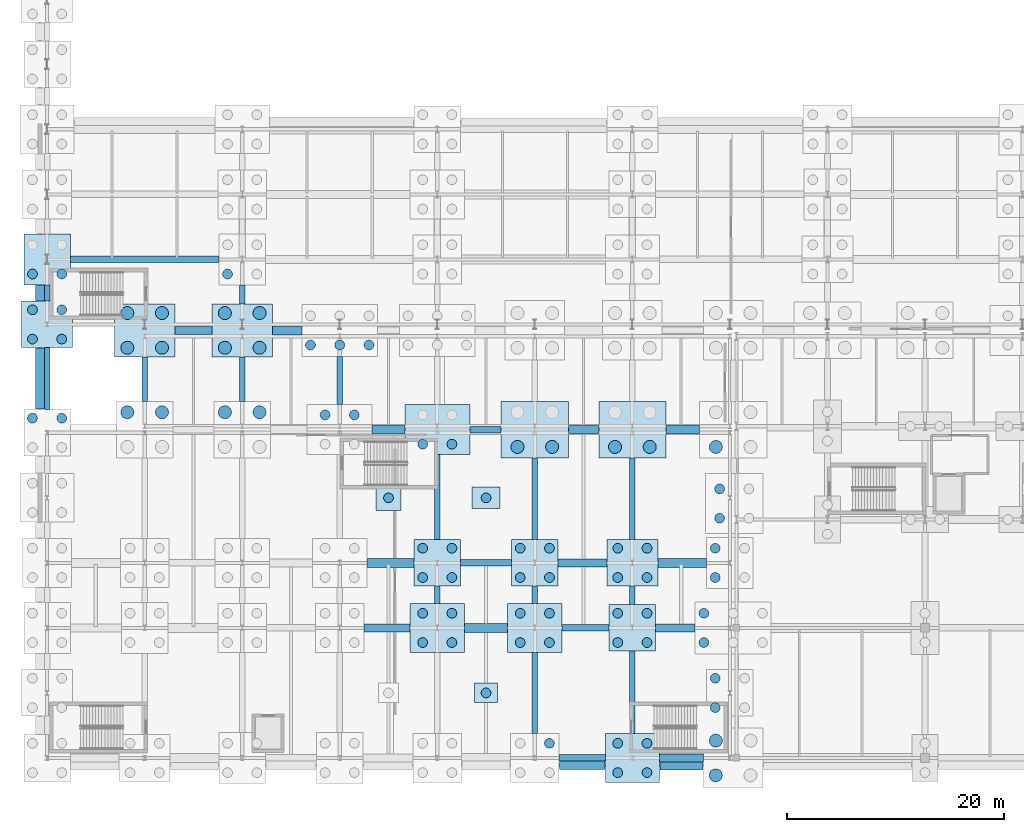
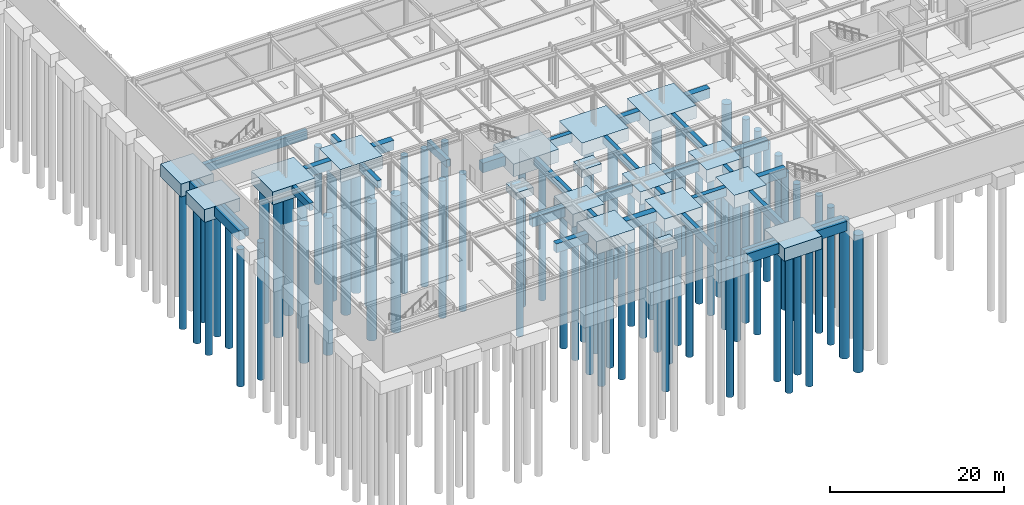
# One storey, part 2 of 65: 75 piles, 52 footings.
"""IFC4 building model written with IfcOpenShell, lengths in metres."""

from ifc_helpers import new_model, si_unit, direction, frame, origin, origin_2d, place, context, subcontext, project, spatial, rectangle, circle, extrude, material, material_profile, profile_set, type_object, element, save


model = new_model("IFC4")

# Units and contexts
model_context = context("Model", 3, precision=1e-05, world=origin(), true_north=direction((0.0, 1.0)))
body_context = subcontext(model_context, "Body", "Model", "MODEL_VIEW")
ifc_project = project(units=[si_unit("LENGTHUNIT", "METRE"), si_unit("AREAUNIT", "SQUARE_METRE"), si_unit("VOLUMEUNIT", "CUBIC_METRE"), si_unit("PLANEANGLEUNIT", "RADIAN"), si_unit("MASSUNIT", "GRAM", prefix="KILO")], contexts=[model_context])

# Site, building, storey
site_placement = place(None, origin())
site = spatial("IfcSite", under=ifc_project, at=site_placement, CompositionType="ELEMENT")
building_placement = place(site_placement, origin())
building = spatial("IfcBuilding", under=site, at=building_placement, Name="Kaldris Quays Convention Centre", CompositionType="ELEMENT")
storey_placement = place(building_placement, frame((0.0, 0.0, -5.39990234375)))
storey = spatial("IfcBuildingStorey", under=building, at=storey_placement, Name="B1", CompositionType="ELEMENT", Elevation=-5.39990234375)

# Piles
ifc_material = material(Name="Concrete C35/45", Category="concrete")
ifc_material_profile_1 = material_profile(ifc_material, circle(Radius=0.449951171875, at=origin_2d()), Name="BORED PILE D900")
ifc_profile_set_1 = profile_set([ifc_material_profile_1], Name="Concrete C35/45")
pile_type_1 = type_object("IfcPileType", Name="BORED PILE P01", PredefinedType="BORED", material=ifc_profile_set_1)
for number, where, z_axis, x_axis, name in (
    (1, (18.64990234375, 47.35009765625, -1.7001953125), (0.0, 0.0, -1.0), (1.0, 0.0, 0.0), "Bored Pile P01 23"),
    (2, (21.35009765625, 47.35009765625, -1.7001953125), (0.0, 0.0, -1.0), (1.0, 0.0, 0.0), "Bored Pile P01 24"),
    (3, (18.64990234375, 54.64990234375, -1.7001953125), (0.0, 0.0, -1.0), (1.0, 0.0, 0.0), "Bored Pile P01 25"),
    (4, (21.35009765625, 54.64990234375, -1.7001953125), (0.0, 0.0, -1.0), (1.0, 0.0, 0.0), "Bored Pile P01 26"),
    (5, (18.64990234375, 57.35009765625, -1.7001953125), (0.0, 0.0, -1.0), (1.0, 0.0, 0.0), "Bored Pile P01 27"),
    (6, (21.35009765625, 57.35009765625, -1.7001953125), (0.0, 0.0, -1.0), (1.0, 0.0, 0.0), "Bored Pile P01 28"),
    (7, (18.64990234375, 60.64990234375, -1.7001953125), (0.0, 0.0, -1.0), (1.0, 0.0, 0.0), "Bored Pile P01 29"),
    (8, (21.35009765625, 60.64990234375, -1.7001953125), (0.0, 0.0, -1.0), (1.0, 0.0, 0.0), "Bored Pile P01 30"),
    (9, (36.64990234375, 60.64990234375, -1.7001953125), (0.0, 0.0, -1.0), (1.0, 0.0, 0.0), "Bored Pile P01 129"),
    (10, (45.64990234375, 47.64990234375, -1.7001953125), (0.0, 0.0, -1.0), (1.0, 0.0, 0.0), "Bored Pile P01 163"),
    (11, (48.35009765625, 47.64990234375, -1.7001953125), (0.0, 0.0, -1.0), (1.0, 0.0, 0.0), "Bored Pile P01 164"),
    (12, (44.300048828125, 54.10009765625, -1.7001953125), (0.0, 0.0, -1.0), (1.0, 0.0, 0.0), "Bored Pile P01 165"),
    (13, (47.0, 54.10009765625, -1.7001953125), (0.0, 0.0, -1.0), (1.0, 0.0, 0.0), "Bored Pile P01 166"),
    (14, (49.699951171875, 54.10009765625, -1.7001953125), (0.0, 0.0, -1.0), (1.0, 0.0, 0.0), "Bored Pile P01 167"),
    (15, (54.64990234375, 26.64990234375, -1.7001953125), (0.0, 0.0, -1.0), (1.0, 0.0, 0.0), "Bored Pile P01 179"),
    (16, (57.35009765625, 26.64990234375, -1.7001953125), (0.0, 0.0, -1.0), (1.0, 0.0, 0.0), "Bored Pile P01 180"),
    (17, (54.64990234375, 29.35009765625, -1.7001953125), (0.0, 0.0, -1.0), (1.0, 0.0, 0.0), "Bored Pile P01 181"),
    (18, (57.35009765625, 29.35009765625, -1.7001953125), (0.0, 0.0, -1.0), (1.0, 0.0, 0.0), "Bored Pile P01 182"),
    (19, (54.64990234375, 32.64990234375, -1.7001953125), (0.0, 0.0, -1.0), (1.0, 0.0, 0.0), "Bored Pile P01 183"),
    (20, (57.35009765625, 32.64990234375, -1.7001953125), (0.0, 0.0, -1.0), (1.0, 0.0, 0.0), "Bored Pile P01 184"),
    (21, (54.64990234375, 35.35009765625, -1.7001953125), (0.0, 0.0, -1.0), (1.0, 0.0, 0.0), "Bored Pile P01 185"),
    (22, (57.35009765625, 35.35009765625, -1.7001953125), (0.0, 0.0, -1.0), (1.0, 0.0, 0.0), "Bored Pile P01 186"),
    (23, (54.64990234375, 44.949951171875, -1.7001953125), (0.0, 0.0, -1.0), (1.0, 0.0, 0.0), "Bored Pile P01 187"),
    (24, (57.35009765625, 44.949951171875, -1.7001953125), (0.0, 0.0, -1.0), (1.0, 0.0, 0.0), "Bored Pile P01 188"),
    (25, (66.35009765625, 17.35009765625, -1.7001953125), (0.0, 0.0, -1.0), (1.0, 0.0, 0.0), "Bored Pile P01 220"),
    (26, (63.64990234375, 26.64990234375, -1.7001953125), (0.0, 0.0, -1.0), (1.0, 0.0, 0.0), "Bored Pile P01 221"),
    (27, (66.35009765625, 26.64990234375, -1.7001953125), (0.0, 0.0, -1.0), (1.0, 0.0, 0.0), "Bored Pile P01 222"),
    (28, (63.64990234375, 29.35009765625, -1.7001953125), (0.0, 0.0, -1.0), (1.0, 0.0, 0.0), "Bored Pile P01 223"),
    (29, (66.35009765625, 29.35009765625, -1.7001953125), (0.0, 0.0, -1.0), (1.0, 0.0, 0.0), "Bored Pile P01 224"),
    (30, (63.64990234375, 32.64990234375, -1.7001953125), (0.0, 0.0, -1.0), (1.0, 0.0, 0.0), "Bored Pile P01 225"),
    (31, (66.35009765625, 32.64990234375, -1.7001953125), (0.0, 0.0, -1.0), (1.0, 0.0, 0.0), "Bored Pile P01 226"),
    (32, (63.64990234375, 35.35009765625, -1.7001953125), (0.0, 0.0, -1.0), (1.0, 0.0, 0.0), "Bored Pile P01 227"),
    (33, (66.35009765625, 35.35009765625, -1.7001953125), (0.0, 0.0, -1.0), (1.0, 0.0, 0.0), "Bored Pile P01 228"),
    (34, (72.64990234375, 14.64990234375, -1.7001953125), (0.0, 0.0, -1.0), (1.0, 0.0, 0.0), "Bored Pile P01 241"),
    (35, (75.35009765625, 14.64990234375, -1.7001953125), (0.0, 0.0, -1.0), (1.0, 0.0, 0.0), "Bored Pile P01 242"),
    (36, (72.64990234375, 17.35009765625, -1.7001953125), (0.0, 0.0, -1.0), (1.0, 0.0, 0.0), "Bored Pile P01 243"),
    (37, (75.35009765625, 17.35009765625, -1.7001953125), (0.0, 0.0, -1.0), (1.0, 0.0, 0.0), "Bored Pile P01 244"),
    (38, (72.64990234375, 26.64990234375, -1.7001953125), (0.0, 0.0, -1.0), (1.0, 0.0, 0.0), "Bored Pile P01 245"),
    (39, (75.35009765625, 26.64990234375, -1.7001953125), (0.0, 0.0, -1.0), (1.0, 0.0, 0.0), "Bored Pile P01 246"),
    (40, (72.64990234375, 29.35009765625, -1.7001953125), (0.0, 0.0, -1.0), (1.0, 0.0, 0.0), "Bored Pile P01 247"),
    (41, (75.35009765625, 29.35009765625, -1.7001953125), (0.0, 0.0, -1.0), (1.0, 0.0, 0.0), "Bored Pile P01 248"),
    (42, (72.64990234375, 32.64990234375, -1.7001953125), (0.0, 0.0, -1.0), (1.0, 0.0, 0.0), "Bored Pile P01 249"),
    (43, (75.35009765625, 32.64990234375, -1.7001953125), (0.0, 0.0, -1.0), (1.0, 0.0, 0.0), "Bored Pile P01 250"),
    (44, (72.64990234375, 35.35009765625, -1.7001953125), (0.0, 0.0, -1.0), (1.0, 0.0, 0.0), "Bored Pile P01 251"),
    (45, (75.35009765625, 35.35009765625, -1.7001953125), (0.0, 0.0, -1.0), (1.0, 0.0, 0.0), "Bored Pile P01 252"),
    (46, (81.64990234375, 20.64990234375, -1.7001953125), (0.0, 0.0, -1.0), (1.0, 0.0, 0.0), "Bored Pile P01 285"),
    (47, (81.64990234375, 23.35009765625, -1.7001953125), (0.0, 0.0, -1.0), (1.0, 0.0, 0.0), "Bored Pile P01 287"),
    (48, (80.60009765625, 26.64990234375, -1.7001953125), (0.0, 0.0, -1.0), (1.0, 0.0, 0.0), "Bored Pile P01 289"),
    (49, (80.60009765625, 29.35009765625, -1.7001953125), (0.0, 0.0, -1.0), (1.0, 0.0, 0.0), "Bored Pile P01 292"),
    (50, (81.64990234375, 32.64990234375, -1.7001953125), (0.0, 0.0, -1.0), (1.0, 0.0, 0.0), "Bored Pile P01 295"),
    (51, (81.64990234375, 35.35009765625, -1.7001953125), (0.0, 0.0, -1.0), (1.0, 0.0, 0.0), "Bored Pile P01 297"),
    (52, (82.050048828125, 38.125, -1.7001953125), (0.0, 0.0, -1.0), (1.0, 0.0, 0.0), "Bored Pile P01 299"),
    (53, (82.050048828125, 40.824951171875, -1.7001953125), (0.0, 0.0, -1.0), (1.0, 0.0, 0.0), "Bored Pile P01 301"),
):
    element("IfcPile", number, at=place(storey_placement, frame(where, z_axis=z_axis, x_axis=x_axis)), inside=storey, type_object=pile_type_1, Name=name, PredefinedType="BORED", context=body_context, shape_type="SweptSolid", body=[
        extrude(circle(Radius=0.449951171875, at=origin_2d()), origin(), (0.0, 0.0, 1.0), 19.300048828125),
    ])
pile_1_placement = place(storey_placement, frame((60.5, 22.0, -0.85009765625), z_axis=(0.0, 0.0, -1.0), x_axis=(1.0, 0.0, 0.0)))
element("IfcPile", 54, at=pile_1_placement, inside=storey, type_object=pile_type_1, Name="Bored Pile P01 786", PredefinedType="BORED", context=body_context, shape_type="SweptSolid", body=[
    extrude(circle(Radius=0.449951171875, at=origin_2d()), origin(), (0.0, 0.0, 1.0), 20.14990234375),
])
pile_2_placement = place(storey_placement, frame((51.5, 40.0, -0.9501953125), z_axis=(0.0, 0.0, -1.0), x_axis=(1.0, 0.0, 0.0)))
element("IfcPile", 55, at=pile_2_placement, inside=storey, type_object=pile_type_1, Name="Bored Pile P01 787", PredefinedType="BORED", context=body_context, shape_type="SweptSolid", body=[
    extrude(circle(Radius=0.449951171875, at=origin_2d()), origin(), (0.0, 0.0, 1.0), 20.050048828125),
])
pile_3_placement = place(storey_placement, frame((60.5, 40.0, -1.0), z_axis=(0.0, 0.0, -1.0), x_axis=(1.0, 0.0, 0.0)))
element("IfcPile", 56, at=pile_3_placement, inside=storey, type_object=pile_type_1, Name="Bored Pile P01 788", PredefinedType="BORED", context=body_context, shape_type="SweptSolid", body=[
    extrude(circle(Radius=0.449951171875, at=origin_2d()), origin(), (0.0, 0.0, 1.0), 20.0),
])
ifc_material_profile_2 = material_profile(ifc_material, circle(Radius=0.60009765625, at=origin_2d()), Name="BORED PILE D1200")
ifc_profile_set_2 = profile_set([ifc_material_profile_2], Name="Concrete C35/45")
pile_type_2 = type_object("IfcPileType", Name="BORED PILE P02", PredefinedType="BORED", material=ifc_profile_set_2)
for number, where, z_axis, x_axis, name in (
    (57, (27.39990234375, 47.89990234375, -1.7001953125), (0.0, 0.0, -1.0), (1.0, 0.0, 0.0), "Bored Pile P02 99"),
    (58, (30.60009765625, 47.89990234375, -1.7001953125), (0.0, 0.0, -1.0), (1.0, 0.0, 0.0), "Bored Pile P02 100"),
    (59, (27.39990234375, 53.85009765625, -1.7001953125), (0.0, 0.0, -1.0), (1.0, 0.0, 0.0), "Bored Pile P02 101"),
    (60, (30.60009765625, 53.85009765625, -1.7001953125), (0.0, 0.0, -1.0), (1.0, 0.0, 0.0), "Bored Pile P02 102"),
    (61, (27.39990234375, 57.050048828125, -1.7001953125), (0.0, 0.0, -1.0), (1.0, 0.0, 0.0), "Bored Pile P02 103"),
    (62, (30.60009765625, 57.050048828125, -1.7001953125), (0.0, 0.0, -1.0), (1.0, 0.0, 0.0), "Bored Pile P02 104"),
    (63, (36.39990234375, 47.89990234375, -1.7001953125), (0.0, 0.0, -1.0), (1.0, 0.0, 0.0), "Bored Pile P02 123"),
    (64, (39.60009765625, 47.89990234375, -1.7001953125), (0.0, 0.0, -1.0), (1.0, 0.0, 0.0), "Bored Pile P02 124"),
    (65, (36.39990234375, 53.85009765625, -1.7001953125), (0.0, 0.0, -1.0), (1.0, 0.0, 0.0), "Bored Pile P02 125"),
    (66, (39.60009765625, 53.85009765625, -1.7001953125), (0.0, 0.0, -1.0), (1.0, 0.0, 0.0), "Bored Pile P02 126"),
    (67, (36.39990234375, 57.050048828125, -1.7001953125), (0.0, 0.0, -1.0), (1.0, 0.0, 0.0), "Bored Pile P02 127"),
    (68, (39.60009765625, 57.050048828125, -1.7001953125), (0.0, 0.0, -1.0), (1.0, 0.0, 0.0), "Bored Pile P02 128"),
    (69, (63.39990234375, 44.699951171875, -1.7001953125), (0.0, 0.0, -1.0), (1.0, 0.0, 0.0), "Bored Pile P02 229"),
    (70, (66.60009765625, 44.699951171875, -1.7001953125), (0.0, 0.0, -1.0), (1.0, 0.0, 0.0), "Bored Pile P02 230"),
    (71, (72.39990234375, 44.699951171875, -1.7001953125), (0.0, 0.0, -1.0), (1.0, 0.0, 0.0), "Bored Pile P02 253"),
    (72, (75.60009765625, 44.699951171875, -1.7001953125), (0.0, 0.0, -1.0), (1.0, 0.0, 0.0), "Bored Pile P02 254"),
    (73, (81.699951171875, 14.39990234375, -1.7001953125), (0.0, 0.0, -1.0), (1.0, 0.0, 0.0), "Bored Pile P02 281"),
    (74, (81.699951171875, 17.60009765625, -1.7001953125), (0.0, 0.0, -1.0), (1.0, 0.0, 0.0), "Bored Pile P02 283"),
    (75, (81.699951171875, 44.699951171875, -1.7001953125), (0.0, 0.0, -1.0), (1.0, 0.0, 0.0), "Bored Pile P02 303"),
):
    element("IfcPile", number, at=place(storey_placement, frame(where, z_axis=z_axis, x_axis=x_axis)), inside=storey, type_object=pile_type_2, Name=name, PredefinedType="BORED", context=body_context, shape_type="SweptSolid", body=[
        extrude(circle(Radius=0.60009765625, at=origin_2d()), origin(), (0.0, 0.0, 1.0), 19.300048828125),
    ])

# Footings
footing_type_1 = type_object("IfcFootingType", Name="CONCRETE FOOTING PC04", PredefinedType="PILE_CAP", material=ifc_material)
for number, where, z_axis, x_axis, name in (
    (76, (56.0, 34.0, -1.80029296875), (0.0, 0.0, 1.0), (1.0, 0.0, 0.0), "Pile Cap CAP-046 (PC04)"),
    (77, (65.0, 34.0, -1.80029296875), (0.0, 0.0, 1.0), (1.0, 0.0, 0.0), "Pile Cap CAP-056 (PC04)"),
    (78, (74.0, 28.0, -1.80029296875), (0.0, 0.0, 1.0), (1.0, 0.0, 0.0), "Pile Cap CAP-061 (PC04)"),
):
    element("IfcFooting", number, at=place(storey_placement, frame(where, z_axis=z_axis, x_axis=x_axis)), inside=storey, type_object=footing_type_1, Name=name, PredefinedType="PILE_CAP", context=body_context, shape_type="SweptSolid", body=[
        extrude(rectangle(XDim=4.300048828125, YDim=4.300048828125, at=origin_2d()), origin(), (0.0, 0.0, 1.0), 1.800048828125),
    ])
footing_type_2 = type_object("IfcFootingType", Name="CONCRETE FOOTING PC07", PredefinedType="PILE_CAP", material=ifc_material)
for number, where, z_axis, x_axis, name in (
    (79, (20.0, 56.0, -1.80029296875), (0.0, 0.0, 1.0), (1.0, 0.0, 0.0), "Pile Cap CAP-007 (PC07)"),
    (80, (74.0, 34.0, -1.80029296875), (0.0, 0.0, 1.0), (1.0, 0.0, 0.0), "Pile Cap CAP-062 (PC07)"),
):
    element("IfcFooting", number, at=place(storey_placement, frame(where, z_axis=z_axis, x_axis=x_axis)), inside=storey, type_object=footing_type_2, Name=name, PredefinedType="PILE_CAP", context=body_context, shape_type="SweptSolid", body=[
        extrude(rectangle(XDim=4.699951171875, YDim=4.300048828125, at=origin_2d()), origin(), (0.0, 0.0, 1.0), 1.800048828125),
    ])
footing_type_3 = type_object("IfcFootingType", Name="CONCRETE FOOTING PC08", PredefinedType="PILE_CAP", material=ifc_material)
footing_1_placement = place(storey_placement, frame((20.0, 62.0, -1.80029296875), z_axis=(0.0, 0.0, 1.0), x_axis=(1.0, 0.0, 0.0)))
element("IfcFooting", 81, at=footing_1_placement, inside=storey, type_object=footing_type_3, Name="Pile Cap CAP-008 (PC08)", PredefinedType="PILE_CAP", context=body_context, shape_type="SweptSolid", body=[
    extrude(rectangle(XDim=4.300048828125, YDim=4.699951171875, at=origin_2d()), origin(), (0.0, 0.0, 1.0), 1.800048828125),
])
footing_type_4 = type_object("IfcFootingType", Name="CONCRETE FOOTING PC09", PredefinedType="PILE_CAP", material=ifc_material)
for number, where, z_axis, x_axis, name in (
    (82, (29.0, 55.449951171875, -1.80029296875), (0.0, 0.0, 1.0), (1.0, 0.0, 0.0), "Pile Cap CAP-026 (PC09)"),
    (83, (38.0, 55.449951171875, -1.80029296875), (0.0, 0.0, 1.0), (1.0, 0.0, 0.0), "Pile Cap CAP-032 (PC09)"),
):
    element("IfcFooting", number, at=place(storey_placement, frame(where, z_axis=z_axis, x_axis=x_axis)), inside=storey, type_object=footing_type_4, Name=name, PredefinedType="PILE_CAP", context=body_context, shape_type="SweptSolid", body=[
        extrude(rectangle(XDim=5.60009765625, YDim=4.89990234375, at=origin_2d()), origin(), (0.0, 0.0, 1.0), 1.800048828125),
    ])
footing_type_5 = type_object("IfcFootingType", Name="CONCRETE FOOTING PC10", PredefinedType="PILE_CAP", material=ifc_material)
for number, where, z_axis, x_axis, name in (
    (84, (65.0, 46.300048828125, -1.80029296875), (0.0, 0.0, 1.0), (1.0, 0.0, 0.0), "Pile Cap CAP-057 (PC10)"),
    (85, (74.0, 46.300048828125, -1.80029296875), (0.0, 0.0, 1.0), (1.0, 0.0, 0.0), "Pile Cap CAP-063 (PC10)"),
):
    element("IfcFooting", number, at=place(storey_placement, frame(where, z_axis=z_axis, x_axis=x_axis)), inside=storey, type_object=footing_type_5, Name=name, PredefinedType="PILE_CAP", context=body_context, shape_type="SweptSolid", body=[
        extrude(rectangle(XDim=6.199951171875, YDim=5.199951171875, at=origin_2d()), origin(), (0.0, 0.0, 1.0), 1.800048828125),
    ])
footing_type_6 = type_object("IfcFootingType", Name="CONCRETE FOOTING PC14", PredefinedType="PILE_CAP", material=ifc_material)
for number, where, z_axis, x_axis, name in (
    (86, (56.0, 28.0, -1.80029296875), (0.0, 0.0, 1.0), (1.0, 0.0, 0.0), "Pile Cap CAP-045 (PC14)"),
    (87, (65.0, 28.0, -1.80029296875), (0.0, 0.0, 1.0), (1.0, 0.0, 0.0), "Pile Cap CAP-055 (PC14)"),
    (88, (74.0, 16.0, -1.80029296875), (0.0, 0.0, 1.0), (1.0, 0.0, 0.0), "Pile Cap CAP-060 (PC14)"),
):
    element("IfcFooting", number, at=place(storey_placement, frame(where, z_axis=z_axis, x_axis=x_axis)), inside=storey, type_object=footing_type_6, Name=name, PredefinedType="PILE_CAP", context=body_context, shape_type="SweptSolid", body=[
        extrude(rectangle(XDim=5.0, YDim=4.5, at=origin_2d()), origin(), (0.0, 0.0, 1.0), 1.800048828125),
    ])
footing_type_7 = type_object("IfcFootingType", Name="CONCRETE FOOTING PC16", PredefinedType="PILE_CAP", material=ifc_material)
footing_2_placement = place(storey_placement, frame((56.0, 46.300048828125, -1.80029296875), z_axis=(0.0, 0.0, 1.0), x_axis=(1.0, 0.0, 0.0)))
element("IfcFooting", 89, at=footing_2_placement, inside=storey, type_object=footing_type_7, Name="Pile Cap CAP-047 (PC16)", PredefinedType="PILE_CAP", context=body_context, shape_type="SweptSolid", body=[
    extrude(rectangle(XDim=6.0, YDim=4.60009765625, at=origin_2d()), origin(), (0.0, 0.0, 1.0), 1.800048828125),
])
footing_type_8 = type_object("IfcFootingType", Name="CONCRETE FOOTING PF02", PredefinedType="PAD_FOOTING", material=ifc_material)
footing_3_placement = place(storey_placement, frame((60.5, 22.0, -0.9501953125), z_axis=(0.0, 0.0, 1.0), x_axis=(1.0, 0.0, 0.0)))
element("IfcFooting", 90, at=footing_3_placement, inside=storey, type_object=footing_type_8, Name="Equipment Pad Footing PF02 2", PredefinedType="PAD_FOOTING", context=body_context, shape_type="SweptSolid", body=[
    extrude(rectangle(XDim=2.14990234375, YDim=1.800048828125, at=origin_2d()), origin(), (0.0, 0.0, 1.0), 0.949951171875),
])
footing_type_9 = type_object("IfcFootingType", Name="CONCRETE FOOTING PF03", PredefinedType="PAD_FOOTING", material=ifc_material)
footing_4_placement = place(storey_placement, frame((51.5, 40.0, -1.05029296875), z_axis=(0.0, 0.0, 1.0), x_axis=(1.0, 0.0, 0.0)))
element("IfcFooting", 91, at=footing_4_placement, inside=storey, type_object=footing_type_9, Name="Equipment Pad Footing PF03 3", PredefinedType="PAD_FOOTING", context=body_context, shape_type="SweptSolid", body=[
    extrude(rectangle(XDim=2.300048828125, YDim=2.300048828125, at=origin_2d()), origin(), (0.0, 0.0, 1.0), 1.050048828125),
])
footing_type_10 = type_object("IfcFootingType", Name="CONCRETE FOOTING PF04", PredefinedType="PAD_FOOTING", material=ifc_material)
footing_5_placement = place(storey_placement, frame((60.5, 40.0, -1.10009765625), z_axis=(0.0, 0.0, 1.0), x_axis=(1.0, 0.0, 0.0)))
element("IfcFooting", 92, at=footing_5_placement, inside=storey, type_object=footing_type_10, Name="Equipment Pad Footing PF04 4", PredefinedType="PAD_FOOTING", context=body_context, shape_type="SweptSolid", body=[
    extrude(rectangle(XDim=2.60009765625, YDim=2.0, at=origin_2d()), origin(), (0.0, 0.0, 1.0), 1.10009765625),
])
footing_type_11 = type_object("IfcFootingType", Name="GROUND TIE BEAM GB01", PredefinedType="FOOTING_BEAM", material=ifc_material)
footing_6_placement = place(storey_placement, frame((69.375, 16.0, -1.2001953125), z_axis=(0.0, 0.0, 1.0), x_axis=(1.0, 0.0, 0.0)))
element("IfcFooting", 93, at=footing_6_placement, inside=storey, type_object=footing_type_11, Name="Ground Tie Beam GB01 6", PredefinedType="FOOTING_BEAM", context=body_context, shape_type="SweptSolid", body=[
    extrude(rectangle(XDim=4.25, YDim=0.60009765625, at=origin_2d()), origin(), (0.0, 0.0, 1.0), 1.199951171875),
])
footing_7_placement = place(storey_placement, frame((69.675048828125, 28.0, -1.2001953125), z_axis=(0.0, 0.0, 1.0), x_axis=(1.0, 0.0, 0.0)))
element("IfcFooting", 94, at=footing_7_placement, inside=storey, type_object=footing_type_11, Name="Ground Tie Beam GB01 24", PredefinedType="FOOTING_BEAM", context=body_context, shape_type="SweptSolid", body=[
    extrude(rectangle(XDim=4.35009765625, YDim=0.60009765625, at=origin_2d()), origin(), (0.0, 0.0, 1.0), 1.199951171875),
])
footing_8_placement = place(storey_placement, frame((60.5, 34.0, -1.2001953125), z_axis=(0.0, 0.0, 1.0), x_axis=(1.0, 0.0, 0.0)))
element("IfcFooting", 95, at=footing_8_placement, inside=storey, type_object=footing_type_11, Name="Ground Tie Beam GB01 39", PredefinedType="FOOTING_BEAM", context=body_context, shape_type="SweptSolid", body=[
    extrude(rectangle(XDim=4.699951171875, YDim=0.60009765625, at=origin_2d()), origin(), (0.0, 0.0, 1.0), 1.199951171875),
])
footing_9_placement = place(storey_placement, frame((60.449951171875, 46.300048828125, -1.2001953125), z_axis=(0.0, 0.0, 1.0), x_axis=(1.0, 0.0, 0.0)))
element("IfcFooting", 96, at=footing_9_placement, inside=storey, type_object=footing_type_11, Name="Ground Tie Beam GB01 54", PredefinedType="FOOTING_BEAM", context=body_context, shape_type="SweptSolid", body=[
    extrude(rectangle(XDim=2.89990234375, YDim=0.60009765625, at=origin_2d()), origin(), (0.0, 0.0, 1.0), 1.199951171875),
])
footing_10_placement = place(storey_placement, frame((29.0, 62.0, -1.2001953125), z_axis=(0.0, 0.0, 1.0), x_axis=(1.0, 0.0, 0.0)))
element("IfcFooting", 97, at=footing_10_placement, inside=storey, type_object=footing_type_11, Name="Ground Tie Beam GB01 84", PredefinedType="FOOTING_BEAM", context=body_context, shape_type="SweptSolid", body=[
    extrude(rectangle(XDim=13.699951171875, YDim=0.60009765625, at=origin_2d()), origin(), (0.0, 0.0, 1.0), 1.199951171875),
])
footing_type_12 = type_object("IfcFootingType", Name="GROUND TIE BEAM GB02", PredefinedType="FOOTING_BEAM", material=ifc_material)
footing_11_placement = place(storey_placement, frame((78.52490234375, 16.0, -1.25), z_axis=(0.0, 0.0, 1.0), x_axis=(1.0, 0.0, 0.0)))
element("IfcFooting", 98, at=footing_11_placement, inside=storey, type_object=footing_type_12, Name="Ground Tie Beam GB02 7", PredefinedType="FOOTING_BEAM", context=body_context, shape_type="SweptSolid", body=[
    extrude(rectangle(XDim=4.050048828125, YDim=0.719970703125, at=origin_2d()), origin(), (0.0, 0.0, 1.0), 1.25),
])
footing_12_placement = place(storey_placement, frame((51.375, 28.0, -1.25), z_axis=(0.0, 0.0, 1.0), x_axis=(1.0, 0.0, 0.0)))
element("IfcFooting", 99, at=footing_12_placement, inside=storey, type_object=footing_type_12, Name="Ground Tie Beam GB02 22", PredefinedType="FOOTING_BEAM", context=body_context, shape_type="SweptSolid", body=[
    extrude(rectangle(XDim=4.25, YDim=0.719970703125, at=origin_2d()), origin(), (0.0, 0.0, 1.0), 1.25),
])
footing_13_placement = place(storey_placement, frame((77.97509765625, 28.0, -1.25), z_axis=(0.0, 0.0, 1.0), x_axis=(1.0, 0.0, 0.0)))
element("IfcFooting", 100, at=footing_13_placement, inside=storey, type_object=footing_type_12, Name="Ground Tie Beam GB02 25", PredefinedType="FOOTING_BEAM", context=body_context, shape_type="SweptSolid", body=[
    extrude(rectangle(XDim=3.64990234375, YDim=0.719970703125, at=origin_2d()), origin(), (0.0, 0.0, 1.0), 1.25),
])
footing_14_placement = place(storey_placement, frame((69.39990234375, 34.0, -1.25), z_axis=(0.0, 0.0, 1.0), x_axis=(1.0, 0.0, 0.0)))
element("IfcFooting", 101, at=footing_14_placement, inside=storey, type_object=footing_type_12, Name="Ground Tie Beam GB02 40", PredefinedType="FOOTING_BEAM", context=body_context, shape_type="SweptSolid", body=[
    extrude(rectangle(XDim=4.5, YDim=0.719970703125, at=origin_2d()), origin(), (0.0, 0.0, 1.0), 1.25),
])
footing_15_placement = place(storey_placement, frame((69.5, 46.300048828125, -1.25), z_axis=(0.0, 0.0, 1.0), x_axis=(1.0, 0.0, 0.0)))
element("IfcFooting", 102, at=footing_15_placement, inside=storey, type_object=footing_type_12, Name="Ground Tie Beam GB02 55", PredefinedType="FOOTING_BEAM", context=body_context, shape_type="SweptSolid", body=[
    extrude(rectangle(XDim=2.800048828125, YDim=0.719970703125, at=origin_2d()), origin(), (0.0, 0.0, 1.0), 1.25),
])
footing_16_placement = place(storey_placement, frame((33.5, 55.449951171875, -1.25), z_axis=(0.0, 0.0, 1.0), x_axis=(1.0, 0.0, 0.0)))
element("IfcFooting", 103, at=footing_16_placement, inside=storey, type_object=footing_type_12, Name="Ground Tie Beam GB02 70", PredefinedType="FOOTING_BEAM", context=body_context, shape_type="SweptSolid", body=[
    extrude(rectangle(XDim=3.39990234375, YDim=0.719970703125, at=origin_2d()), origin(), (0.0, 0.0, 1.0), 1.25),
])
footing_type_13 = type_object("IfcFootingType", Name="GROUND TIE BEAM GB03", PredefinedType="FOOTING_BEAM", material=ifc_material)
footing_17_placement = place(storey_placement, frame((20.0, 51.0, -1.05029296875), z_axis=(0.0, 0.0, 1.0), x_axis=(1.0, 0.0, 0.0)))
element("IfcFooting", 104, at=footing_17_placement, inside=storey, type_object=footing_type_13, Name="Ground Tie Beam GB03 180", PredefinedType="FOOTING_BEAM", context=body_context, shape_type="SweptSolid", body=[
    extrude(rectangle(XDim=0.52001953125, YDim=5.699951171875, at=origin_2d()), origin(), (0.0, 0.0, 1.0), 1.050048828125),
])
footing_18_placement = place(storey_placement, frame((20.0, 58.89990234375, -1.05029296875), z_axis=(0.0, 0.0, 1.0), x_axis=(1.0, 0.0, 0.0)))
element("IfcFooting", 105, at=footing_18_placement, inside=storey, type_object=footing_type_13, Name="Ground Tie Beam GB03 181", PredefinedType="FOOTING_BEAM", context=body_context, shape_type="SweptSolid", body=[
    extrude(rectangle(XDim=0.52001953125, YDim=1.5, at=origin_2d()), origin(), (0.0, 0.0, 1.0), 1.050048828125),
])
for number, where, z_axis, x_axis, name in (
    (106, (29.0, 50.949951171875, -1.05029296875), (0.0, 0.0, 1.0), (1.0, 0.0, 0.0), "Ground Tie Beam GB03 198"),
    (107, (38.0, 50.949951171875, -1.05029296875), (0.0, 0.0, 1.0), (1.0, 0.0, 0.0), "Ground Tie Beam GB03 202"),
):
    element("IfcFooting", number, at=place(storey_placement, frame(where, z_axis=z_axis, x_axis=x_axis)), inside=storey, type_object=footing_type_13, Name=name, PredefinedType="FOOTING_BEAM", context=body_context, shape_type="SweptSolid", body=[
        extrude(rectangle(XDim=0.52001953125, YDim=4.10009765625, at=origin_2d()), origin(), (0.0, 0.0, 1.0), 1.050048828125),
    ])
footing_19_placement = place(storey_placement, frame((38.0, 58.77490234375, -1.05029296875), z_axis=(0.0, 0.0, 1.0), x_axis=(1.0, 0.0, 0.0)))
element("IfcFooting", 108, at=footing_19_placement, inside=storey, type_object=footing_type_13, Name="Ground Tie Beam GB03 203", PredefinedType="FOOTING_BEAM", context=body_context, shape_type="SweptSolid", body=[
    extrude(rectangle(XDim=0.52001953125, YDim=1.75, at=origin_2d()), origin(), (0.0, 0.0, 1.0), 1.050048828125),
])
footing_20_placement = place(storey_placement, frame((47.0, 50.824951171875, -1.05029296875), z_axis=(0.0, 0.0, 1.0), x_axis=(1.0, 0.0, 0.0)))
element("IfcFooting", 109, at=footing_20_placement, inside=storey, type_object=footing_type_13, Name="Ground Tie Beam GB03 210", PredefinedType="FOOTING_BEAM", context=body_context, shape_type="SweptSolid", body=[
    extrude(rectangle(XDim=0.52001953125, YDim=4.449951171875, at=origin_2d()), origin(), (0.0, 0.0, 1.0), 1.050048828125),
])
footing_21_placement = place(storey_placement, frame((56.0, 31.050048828125, -1.05029296875), z_axis=(0.0, 0.0, 1.0), x_axis=(1.0, 0.0, 0.0)))
element("IfcFooting", 110, at=footing_21_placement, inside=storey, type_object=footing_type_13, Name="Ground Tie Beam GB03 212", PredefinedType="FOOTING_BEAM", context=body_context, shape_type="SweptSolid", body=[
    extrude(rectangle(XDim=0.52001953125, YDim=1.60009765625, at=origin_2d()), origin(), (0.0, 0.0, 1.0), 1.050048828125),
])
footing_22_placement = place(storey_placement, frame((56.0, 40.074951171875, -1.05029296875), z_axis=(0.0, 0.0, 1.0), x_axis=(1.0, 0.0, 0.0)))
element("IfcFooting", 111, at=footing_22_placement, inside=storey, type_object=footing_type_13, Name="Ground Tie Beam GB03 213", PredefinedType="FOOTING_BEAM", context=body_context, shape_type="SweptSolid", body=[
    extrude(rectangle(XDim=0.52001953125, YDim=7.85009765625, at=origin_2d()), origin(), (0.0, 0.0, 1.0), 1.050048828125),
])
footing_23_placement = place(storey_placement, frame((65.0, 22.0, -1.05029296875), z_axis=(0.0, 0.0, 1.0), x_axis=(1.0, 0.0, 0.0)))
element("IfcFooting", 112, at=footing_23_placement, inside=storey, type_object=footing_type_13, Name="Ground Tie Beam GB03 219", PredefinedType="FOOTING_BEAM", context=body_context, shape_type="SweptSolid", body=[
    extrude(rectangle(XDim=0.52001953125, YDim=7.5, at=origin_2d()), origin(), (0.0, 0.0, 1.0), 1.050048828125),
])
footing_24_placement = place(storey_placement, frame((65.0, 31.050048828125, -1.05029296875), z_axis=(0.0, 0.0, 1.0), x_axis=(1.0, 0.0, 0.0)))
element("IfcFooting", 113, at=footing_24_placement, inside=storey, type_object=footing_type_13, Name="Ground Tie Beam GB03 220", PredefinedType="FOOTING_BEAM", context=body_context, shape_type="SweptSolid", body=[
    extrude(rectangle(XDim=0.52001953125, YDim=1.60009765625, at=origin_2d()), origin(), (0.0, 0.0, 1.0), 1.050048828125),
])
footing_25_placement = place(storey_placement, frame((65.0, 39.925048828125, -1.05029296875), z_axis=(0.0, 0.0, 1.0), x_axis=(1.0, 0.0, 0.0)))
element("IfcFooting", 114, at=footing_25_placement, inside=storey, type_object=footing_type_13, Name="Ground Tie Beam GB03 221", PredefinedType="FOOTING_BEAM", context=body_context, shape_type="SweptSolid", body=[
    extrude(rectangle(XDim=0.52001953125, YDim=7.550048828125, at=origin_2d()), origin(), (0.0, 0.0, 1.0), 1.050048828125),
])
footing_26_placement = place(storey_placement, frame((74.0, 22.050048828125, -1.05029296875), z_axis=(0.0, 0.0, 1.0), x_axis=(1.0, 0.0, 0.0)))
element("IfcFooting", 115, at=footing_26_placement, inside=storey, type_object=footing_type_13, Name="Ground Tie Beam GB03 223", PredefinedType="FOOTING_BEAM", context=body_context, shape_type="SweptSolid", body=[
    extrude(rectangle(XDim=0.52001953125, YDim=7.60009765625, at=origin_2d()), origin(), (0.0, 0.0, 1.0), 1.050048828125),
])
footing_27_placement = place(storey_placement, frame((74.0, 31.0, -1.05029296875), z_axis=(0.0, 0.0, 1.0), x_axis=(1.0, 0.0, 0.0)))
element("IfcFooting", 116, at=footing_27_placement, inside=storey, type_object=footing_type_13, Name="Ground Tie Beam GB03 224", PredefinedType="FOOTING_BEAM", context=body_context, shape_type="SweptSolid", body=[
    extrude(rectangle(XDim=0.52001953125, YDim=1.699951171875, at=origin_2d()), origin(), (0.0, 0.0, 1.0), 1.050048828125),
])
footing_28_placement = place(storey_placement, frame((74.0, 39.925048828125, -1.05029296875), z_axis=(0.0, 0.0, 1.0), x_axis=(1.0, 0.0, 0.0)))
element("IfcFooting", 117, at=footing_28_placement, inside=storey, type_object=footing_type_13, Name="Ground Tie Beam GB03 225", PredefinedType="FOOTING_BEAM", context=body_context, shape_type="SweptSolid", body=[
    extrude(rectangle(XDim=0.52001953125, YDim=7.550048828125, at=origin_2d()), origin(), (0.0, 0.0, 1.0), 1.050048828125),
])
footing_type_14 = type_object("IfcFootingType", Name="GROUND TIE BEAM GB04", PredefinedType="FOOTING_BEAM", material=ifc_material)
footing_29_placement = place(storey_placement, frame((60.5, 28.0, -1.35009765625), z_axis=(0.0, 0.0, 1.0), x_axis=(1.0, 0.0, 0.0)))
element("IfcFooting", 118, at=footing_29_placement, inside=storey, type_object=footing_type_14, Name="Ground Tie Beam GB04 23", PredefinedType="FOOTING_BEAM", context=body_context, shape_type="SweptSolid", body=[
    extrude(rectangle(XDim=4.0, YDim=0.840087890625, at=origin_2d()), origin(), (0.0, 0.0, 1.0), 1.35009765625),
])
footing_30_placement = place(storey_placement, frame((51.675048828125, 34.0, -1.35009765625), z_axis=(0.0, 0.0, 1.0), x_axis=(1.0, 0.0, 0.0)))
element("IfcFooting", 119, at=footing_30_placement, inside=storey, type_object=footing_type_14, Name="Ground Tie Beam GB04 38", PredefinedType="FOOTING_BEAM", context=body_context, shape_type="SweptSolid", body=[
    extrude(rectangle(XDim=4.35009765625, YDim=0.840087890625, at=origin_2d()), origin(), (0.0, 0.0, 1.0), 1.35009765625),
])
footing_31_placement = place(storey_placement, frame((78.60009765625, 34.0, -1.35009765625), z_axis=(0.0, 0.0, 1.0), x_axis=(1.0, 0.0, 0.0)))
element("IfcFooting", 120, at=footing_31_placement, inside=storey, type_object=footing_type_14, Name="Ground Tie Beam GB04 41", PredefinedType="FOOTING_BEAM", context=body_context, shape_type="SweptSolid", body=[
    extrude(rectangle(XDim=4.5, YDim=0.840087890625, at=origin_2d()), origin(), (0.0, 0.0, 1.0), 1.35009765625),
])
footing_32_placement = place(storey_placement, frame((51.5, 46.300048828125, -1.35009765625), z_axis=(0.0, 0.0, 1.0), x_axis=(1.0, 0.0, 0.0)))
element("IfcFooting", 121, at=footing_32_placement, inside=storey, type_object=footing_type_14, Name="Ground Tie Beam GB04 53", PredefinedType="FOOTING_BEAM", context=body_context, shape_type="SweptSolid", body=[
    extrude(rectangle(XDim=3.0, YDim=0.840087890625, at=origin_2d()), origin(), (0.0, 0.0, 1.0), 1.35009765625),
])
footing_33_placement = place(storey_placement, frame((78.64990234375, 46.300048828125, -1.35009765625), z_axis=(0.0, 0.0, 1.0), x_axis=(1.0, 0.0, 0.0)))
element("IfcFooting", 122, at=footing_33_placement, inside=storey, type_object=footing_type_14, Name="Ground Tie Beam GB04 56", PredefinedType="FOOTING_BEAM", context=body_context, shape_type="SweptSolid", body=[
    extrude(rectangle(XDim=3.10009765625, YDim=0.840087890625, at=origin_2d()), origin(), (0.0, 0.0, 1.0), 1.35009765625),
])
footing_34_placement = place(storey_placement, frame((42.14990234375, 55.449951171875, -1.35009765625), z_axis=(0.0, 0.0, 1.0), x_axis=(1.0, 0.0, 0.0)))
element("IfcFooting", 123, at=footing_34_placement, inside=storey, type_object=footing_type_14, Name="Ground Tie Beam GB04 71", PredefinedType="FOOTING_BEAM", context=body_context, shape_type="SweptSolid", body=[
    extrude(rectangle(XDim=2.699951171875, YDim=0.840087890625, at=origin_2d()), origin(), (0.0, 0.0, 1.0), 1.35009765625),
])
footing_35_placement = place(storey_placement, frame((19.35009765625, 51.0, -1.35009765625), z_axis=(0.0, 0.0, 1.0), x_axis=(1.0, 0.0, 0.0)))
element("IfcFooting", 124, at=footing_35_placement, inside=storey, type_object=footing_type_14, Name="Perimeter Retaining Wall Strip Footing GB04 6", PredefinedType="FOOTING_BEAM", context=body_context, shape_type="SweptSolid", body=[
    extrude(rectangle(XDim=0.840087890625, YDim=5.639892578125, at=origin_2d()), origin(), (0.0, 0.0, 1.0), 1.35009765625),
])
footing_36_placement = place(storey_placement, frame((19.35009765625, 58.89990234375, -1.35009765625), z_axis=(0.0, 0.0, 1.0), x_axis=(1.0, 0.0, 0.0)))
element("IfcFooting", 125, at=footing_36_placement, inside=storey, type_object=footing_type_14, Name="Perimeter Retaining Wall Strip Footing GB04 7", PredefinedType="FOOTING_BEAM", context=body_context, shape_type="SweptSolid", body=[
    extrude(rectangle(XDim=0.840087890625, YDim=1.43994140625, at=origin_2d()), origin(), (0.0, 0.0, 1.0), 1.35009765625),
])
footing_37_placement = place(storey_placement, frame((69.375, 15.35009765625, -1.35009765625), z_axis=(0.0, 0.0, 1.0), x_axis=(1.0, 0.0, 0.0)))
element("IfcFooting", 126, at=footing_37_placement, inside=storey, type_object=footing_type_14, Name="Perimeter Retaining Wall Strip Footing GB04 50", PredefinedType="FOOTING_BEAM", context=body_context, shape_type="SweptSolid", body=[
    extrude(rectangle(XDim=4.18994140625, YDim=0.840087890625, at=origin_2d()), origin(), (0.0, 0.0, 1.0), 1.35009765625),
])
footing_38_placement = place(storey_placement, frame((78.52490234375, 15.330078125, -1.35009765625), z_axis=(0.0, 0.0, 1.0), x_axis=(1.0, 0.0, 0.0)))
element("IfcFooting", 127, at=footing_38_placement, inside=storey, type_object=footing_type_14, Name="Perimeter Retaining Wall Strip Footing GB04 56", PredefinedType="FOOTING_BEAM", context=body_context, shape_type="SweptSolid", body=[
    extrude(rectangle(XDim=3.989990234375, YDim=0.840087890625, at=origin_2d()), origin(), (0.0, 0.0, 1.0), 1.35009765625),
])

save(model, "model.ifc")
